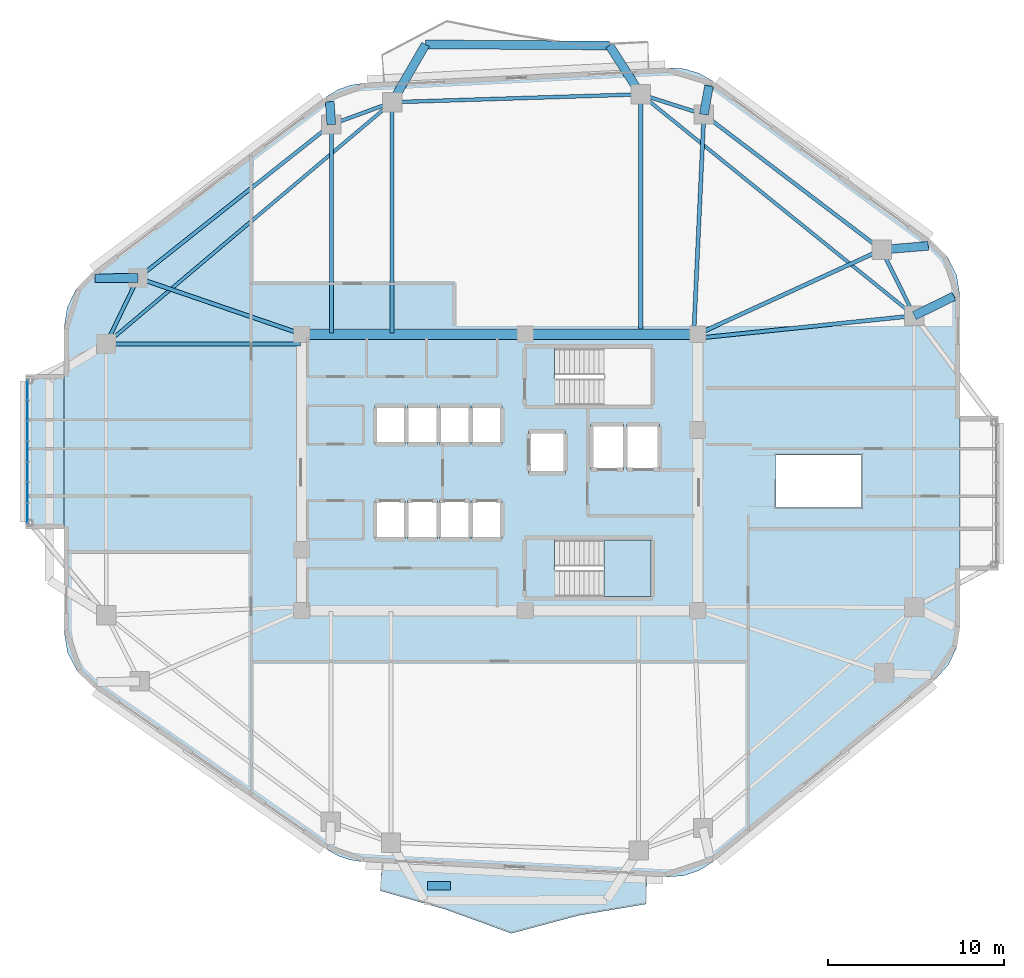
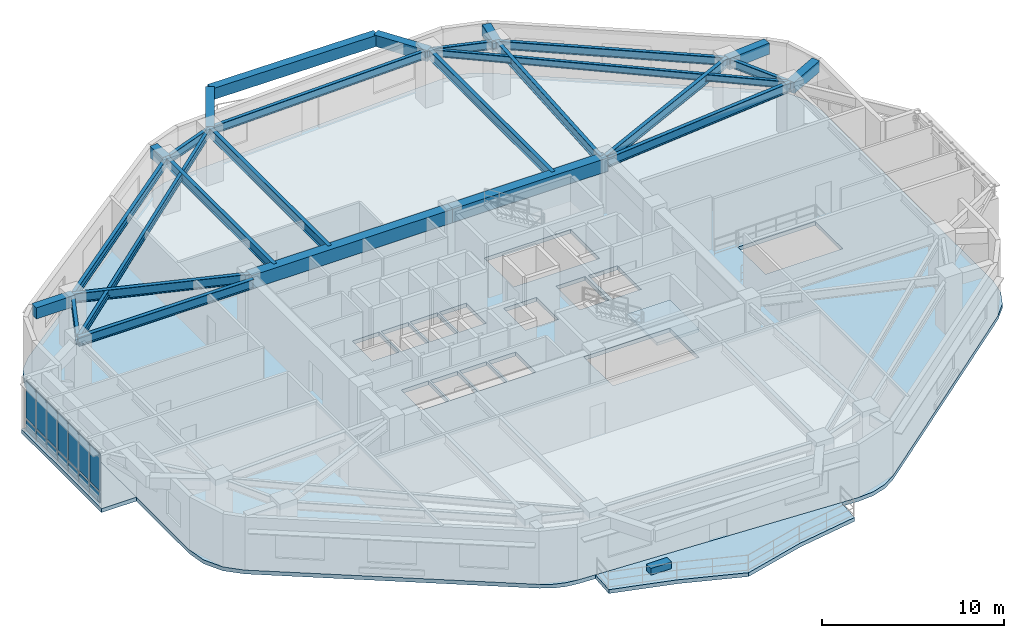
# One storey, part 6 of 14: 27 beams, 15 plates, 4 slabs, 2 elements without a shape of their own.
"""IFC4 building model written with IfcOpenShell, lengths in metres."""

from ifc_helpers import new_model, si_unit, direction, frame, origin, origin_2d, place, context, subcontext, project, spatial, polyline, rectangle, i_section, outline, extrude, material, layer, layer_set, material_profile, profile_set, type_object, element, aggregate, save


model = new_model("IFC4")

# Units and contexts
model_context = context("Model", 3, precision=1e-05, world=origin(), true_north=direction((0.0, 1.0)))
body_context = subcontext(model_context, "Body", "Model", "MODEL_VIEW")
ifc_project = project(units=[si_unit("LENGTHUNIT", "METRE"), si_unit("AREAUNIT", "SQUARE_METRE"), si_unit("VOLUMEUNIT", "CUBIC_METRE"), si_unit("PLANEANGLEUNIT", "RADIAN"), si_unit("MASSUNIT", "GRAM", prefix="KILO")], contexts=[model_context])

# Site, building, storey
site_placement = place(None, origin())
site = spatial("IfcSite", under=ifc_project, at=site_placement, CompositionType="ELEMENT")
building_placement = place(site_placement, origin())
building = spatial("IfcBuilding", under=site, at=building_placement, Name="Zulverin Broadcast Headquarters", CompositionType="ELEMENT")
storey_placement = place(building_placement, frame((0.0, 0.0, 128.800048828125)))
storey = spatial("IfcBuildingStorey", under=building, at=storey_placement, Name="L32", CompositionType="ELEMENT", Elevation=128.800048828125)

# Beams
ifc_material_1 = material(Name="Concrete C60/75", Category="concrete")
ifc_material_profile_1 = material_profile(ifc_material_1, rectangle(XDim=0.60009765625, YDim=0.89990234375, at=origin_2d()), Name="Concrete C60/75", Category="concrete")
ifc_profile_set_1 = profile_set([ifc_material_profile_1], Name="Concrete C60/75")
beam_type_1 = type_object("IfcBeamType", Name="BM-CB-600x900", PredefinedType="LINTEL", material=ifc_profile_set_1)
beam_1_placement = place(storey_placement, frame((48.27490234375, 33.074951171875, 3.08984375), z_axis=(-1.0, 0.0, 0.0), x_axis=(0.0, -1.0, 0.0)))
element("IfcBeam", 1, at=beam_1_placement, inside=storey, type_object=beam_type_1, Name="L32 Core Coupling Girder K05-K06", PredefinedType="LINTEL", context=body_context, shape_type="SweptSolid", body=[
    extrude(rectangle(XDim=0.60009765625, YDim=0.89990234375, at=origin_2d()), origin(), (0.0, 0.0, 1.0), 9.824951171875),
])
beam_2_placement = place(storey_placement, frame((38.449951171875, 33.074951171875, 3.08984375), z_axis=(-1.0, 0.0, 0.0), x_axis=(0.0, -1.0, 0.0)))
element("IfcBeam", 2, at=beam_2_placement, inside=storey, type_object=beam_type_1, Name="L32 Core Coupling Girder K06-K07", PredefinedType="LINTEL", context=body_context, shape_type="SweptSolid", body=[
    extrude(rectangle(XDim=0.60009765625, YDim=0.89990234375, at=origin_2d()), origin(), (0.0, 0.0, 1.0), 12.724853515625),
])
ifc_material_2 = material(Name="Concrete C40/50", Category="concrete")
ifc_material_profile_2 = material_profile(ifc_material_2, rectangle(XDim=0.5, YDim=0.75, at=origin_2d()), Name="Concrete C40/50", Category="concrete")
ifc_profile_set_2 = profile_set([ifc_material_profile_2], Name="Concrete C40/50")
beam_type_2 = type_object("IfcBeamType", Name="BM-RC-500x750", PredefinedType="BEAM", material=ifc_profile_set_2)
beam_3_placement = place(storey_placement, frame((60.60009765625, 34.12158203125, 3.1650390625), z_axis=(0.89705908708, 0.441910617984, 0.0), x_axis=(-0.441910617984, 0.89705908708, 0.0)))
element("IfcBeam", 3, at=beam_3_placement, inside=storey, type_object=beam_type_2, Name="L33 Plate Overhang Back-Spanned Beam OVR-06", PredefinedType="BEAM", context=body_context, shape_type="SweptSolid", body=[
    extrude(rectangle(XDim=0.5, YDim=0.75, at=origin_2d()), origin(), (0.0, 0.0, 1.0), 2.50830078125),
])
beam_4_placement = place(storey_placement, frame((58.738037109375, 37.877685546875, 3.1650390625), z_axis=(0.996584209885, 0.082582762173, 0.0), x_axis=(-0.082582762173, 0.996584209885, 0.0)))
element("IfcBeam", 4, at=beam_4_placement, inside=storey, type_object=beam_type_2, Name="L33 Plate Overhang Back-Spanned Beam OVR-07", PredefinedType="BEAM", context=body_context, shape_type="SweptSolid", body=[
    extrude(rectangle(XDim=0.5, YDim=0.75, at=origin_2d()), origin(), (0.0, 0.0, 1.0), 2.66357421875),
])
beam_5_placement = place(storey_placement, frame((48.62158203125, 45.574951171875, 3.1650390625), z_axis=(0.176183868408, 0.984357274831, 0.0), x_axis=(-0.984357274831, 0.176183868408, 0.0)))
element("IfcBeam", 5, at=beam_5_placement, inside=storey, type_object=beam_type_2, Name="L33 Plate Overhang Back-Spanned Beam OVR-08", PredefinedType="BEAM", context=body_context, shape_type="SweptSolid", body=[
    extrude(rectangle(XDim=0.5, YDim=0.75, at=origin_2d()), origin(), (0.0, 0.0, 1.0), 1.654541015625),
])
beam_6_placement = place(storey_placement, frame((27.416259765625, 45.00439453125, 3.1650390625), z_axis=(-0.068312581643, 0.99766396707, 0.0), x_axis=(-0.99766396707, -0.068312581643, 0.0)))
element("IfcBeam", 6, at=beam_6_placement, inside=storey, type_object=beam_type_2, Name="L33 Plate Overhang Back-Spanned Beam OVR-11", PredefinedType="BEAM", context=body_context, shape_type="SweptSolid", body=[
    extrude(rectangle(XDim=0.5, YDim=0.75, at=origin_2d()), origin(), (0.0, 0.0, 1.0), 1.30078125),
])
beam_7_placement = place(storey_placement, frame((16.40869140625, 36.26806640625, 3.1650390625), z_axis=(-0.999988487108, -0.004798505187, 0.0), x_axis=(0.004798505187, -0.999988487108, 0.0)))
element("IfcBeam", 7, at=beam_7_placement, inside=storey, type_object=beam_type_2, Name="L33 Plate Overhang Back-Spanned Beam OVR-12", PredefinedType="BEAM", context=body_context, shape_type="SweptSolid", body=[
    extrude(rectangle(XDim=0.5, YDim=0.75, at=origin_2d()), origin(), (0.0, 0.0, 1.0), 2.442138671875),
])
beam_8_placement = place(storey_placement, frame((45.027587890625, 46.7236328125, 3.1650390625), z_axis=(-0.539744078616, 0.841829157014, 0.0), x_axis=(-0.841829157014, -0.539744078616, 0.0)))
element("IfcBeam", 8, at=beam_8_placement, inside=storey, type_object=beam_type_2, Name="L33 Balcony Column-Framed Cantilever BAL_N-1", PredefinedType="BEAM", context=body_context, shape_type="SweptSolid", body=[
    extrude(rectangle(XDim=0.5, YDim=0.75, at=origin_2d()), origin(), (0.0, 0.0, 1.0), 3.300537109375),
])
beam_9_placement = place(storey_placement, frame((30.882080078125, 46.27490234375, 3.1650390625), z_axis=(0.500167342989, 0.865928766705, 0.0), x_axis=(-0.865928766705, 0.500167342989, 0.0)))
element("IfcBeam", 9, at=beam_9_placement, inside=storey, type_object=beam_type_2, Name="L33 Balcony Column-Framed Cantilever BAL_N-2", PredefinedType="BEAM", context=body_context, shape_type="SweptSolid", body=[
    extrude(rectangle(XDim=0.5, YDim=0.75, at=origin_2d()), origin(), (0.0, 0.0, 1.0), 3.800048828125),
])
beam_10_placement = place(storey_placement, frame((43.24609375, 49.502197265625, 3.1650390625), z_axis=(-0.999981740292, 0.006043102122, 0.0), x_axis=(-0.006043102122, -0.999981740292, 0.0)))
element("IfcBeam", 10, at=beam_10_placement, inside=storey, type_object=beam_type_2, Name="L33 Balcony Outer Edge Trimmer Beam BAL_N", PredefinedType="BEAM", context=body_context, shape_type="SweptSolid", body=[
    extrude(rectangle(XDim=0.5, YDim=0.75, at=origin_2d()), origin(), (0.0, 0.0, 1.0), 10.463623046875),
])
ifc_material_3 = material(Name="Structural steel S355JR", Category="steel")
ifc_material_profile_3 = material_profile(ifc_material_3, i_section(OverallWidth=0.19287109375, OverallDepth=0.46728515625, WebThickness=0.011474609375, FlangeThickness=0.01953125, at=origin_2d()), Name="Structural steel S355JR", Category="steel")
ifc_profile_set_3 = profile_set([ifc_material_profile_3], Name="Structural steel S355JR")
beam_type_3 = type_object("IfcBeamType", Name="BM-UB-457", PredefinedType="JOIST", material=ifc_profile_set_3)
beam_11_placement = place(storey_placement, frame((60.60009765625, 34.12158203125, 3.306396484375), z_axis=(-0.777349017335, 0.629069555175, 0.0), x_axis=(-0.629069555175, -0.777349017335, 0.0)))
element("IfcBeam", 11, at=beam_11_placement, inside=storey, type_object=beam_type_3, Name="L32 Chordal Floor Joist J-02", PredefinedType="JOIST", context=body_context, shape_type="SweptSolid", body=[
    extrude(i_section(OverallWidth=0.19287109375, OverallDepth=0.46728515625, WebThickness=0.011474609375, FlangeThickness=0.01953125, at=origin_2d()), origin(), (0.0, 0.0, 1.0), 20.032958984375),
])
beam_12_placement = place(storey_placement, frame((30.882080078125, 46.27490234375, 3.306396484375), z_axis=(-0.763972566446, -0.645248725468, 0.0), x_axis=(0.645248725468, -0.763972566446, 0.0)))
element("IfcBeam", 12, at=beam_12_placement, inside=storey, type_object=beam_type_3, Name="L32 Chordal Floor Joist J-03", PredefinedType="JOIST", context=body_context, shape_type="SweptSolid", body=[
    extrude(i_section(OverallWidth=0.19287109375, OverallDepth=0.46728515625, WebThickness=0.011474609375, FlangeThickness=0.01953125, at=origin_2d()), origin(), (0.0, 0.0, 1.0), 21.312255859375),
])
ifc_material_profile_4 = material_profile(ifc_material_3, i_section(OverallWidth=0.2119140625, OverallDepth=0.54443359375, WebThickness=0.0126953125, FlangeThickness=0.021240234375, at=origin_2d()), Name="Structural steel S355JR", Category="steel")
ifc_profile_set_4 = profile_set([ifc_material_profile_4], Name="Structural steel S355JR")
beam_type_4 = type_object("IfcBeamType", Name="BM-UB-533", PredefinedType="SPANDREL", material=ifc_profile_set_4)
beam_13_placement = place(storey_placement, frame((60.60009765625, 34.12158203125, 3.267578125), z_axis=(-0.444159471033, 0.895947746407, 0.0), x_axis=(-0.895947746407, -0.444159471033, 0.0)))
element("IfcBeam", 13, at=beam_13_placement, inside=storey, type_object=beam_type_4, Name="L32 Perimeter Spandrel Beam SP-06", PredefinedType="SPANDREL", context=body_context, shape_type="SweptSolid", body=[
    extrude(i_section(OverallWidth=0.2119140625, OverallDepth=0.54443359375, WebThickness=0.0126953125, FlangeThickness=0.021240234375, at=origin_2d()), origin(), (0.0, 0.0, 1.0), 4.1923828125),
])
beam_14_placement = place(storey_placement, frame((58.738037109375, 37.877685546875, 3.267578125), z_axis=(-0.795830102505, 0.60551998146, 0.0), x_axis=(-0.60551998146, -0.795830102505, 0.0)))
element("IfcBeam", 14, at=beam_14_placement, inside=storey, type_object=beam_type_4, Name="L32 Perimeter Spandrel Beam SP-07", PredefinedType="SPANDREL", context=body_context, shape_type="SweptSolid", body=[
    extrude(i_section(OverallWidth=0.2119140625, OverallDepth=0.54443359375, WebThickness=0.0126953125, FlangeThickness=0.021240234375, at=origin_2d()), origin(), (0.0, 0.0, 1.0), 12.7119140625),
])
beam_15_placement = place(storey_placement, frame((48.62158203125, 45.574951171875, 3.267578125), z_axis=(-0.952531523781, 0.304439971428, 0.0), x_axis=(-0.304439971428, -0.952531523781, 0.0)))
element("IfcBeam", 15, at=beam_15_placement, inside=storey, type_object=beam_type_4, Name="L32 Perimeter Spandrel Beam SP-08", PredefinedType="SPANDREL", context=body_context, shape_type="SweptSolid", body=[
    extrude(i_section(OverallWidth=0.2119140625, OverallDepth=0.54443359375, WebThickness=0.0126953125, FlangeThickness=0.021240234375, at=origin_2d()), origin(), (0.0, 0.0, 1.0), 3.773193359375),
])
beam_16_placement = place(storey_placement, frame((45.027587890625, 46.7236328125, 3.267578125), z_axis=(-0.999497221833, -0.031706522156, 0.0), x_axis=(0.031706522156, -0.999497221833, 0.0)))
element("IfcBeam", 16, at=beam_16_placement, inside=storey, type_object=beam_type_4, Name="L32 Perimeter Spandrel Beam SP-09", PredefinedType="SPANDREL", context=body_context, shape_type="SweptSolid", body=[
    extrude(i_section(OverallWidth=0.2119140625, OverallDepth=0.54443359375, WebThickness=0.0126953125, FlangeThickness=0.021240234375, at=origin_2d()), origin(), (0.0, 0.0, 1.0), 14.152587890625),
])
beam_17_placement = place(storey_placement, frame((30.882080078125, 46.27490234375, 3.267578125), z_axis=(-0.938901965426, -0.344184687805, 0.0), x_axis=(0.344184687805, -0.938901965426, 0.0)))
element("IfcBeam", 17, at=beam_17_placement, inside=storey, type_object=beam_type_4, Name="L32 Perimeter Spandrel Beam SP-10", PredefinedType="SPANDREL", context=body_context, shape_type="SweptSolid", body=[
    extrude(i_section(OverallWidth=0.2119140625, OverallDepth=0.54443359375, WebThickness=0.0126953125, FlangeThickness=0.021240234375, at=origin_2d()), origin(), (0.0, 0.0, 1.0), 3.69140625),
])
beam_18_placement = place(storey_placement, frame((27.416259765625, 45.00439453125, 3.267578125), z_axis=(-0.783283263401, -0.621664965457, 0.0), x_axis=(0.621664965457, -0.783283263401, 0.0)))
element("IfcBeam", 18, at=beam_18_placement, inside=storey, type_object=beam_type_4, Name="L32 Perimeter Spandrel Beam SP-11", PredefinedType="SPANDREL", context=body_context, shape_type="SweptSolid", body=[
    extrude(i_section(OverallWidth=0.2119140625, OverallDepth=0.54443359375, WebThickness=0.0126953125, FlangeThickness=0.021240234375, at=origin_2d()), origin(), (0.0, 0.0, 1.0), 14.05322265625),
])
beam_19_placement = place(storey_placement, frame((16.40869140625, 36.26806640625, 3.267578125), z_axis=(-0.434890248034, -0.900483465792, 0.0), x_axis=(0.900483465792, -0.434890248034, 0.0)))
element("IfcBeam", 19, at=beam_19_placement, inside=storey, type_object=beam_type_4, Name="L32 Perimeter Spandrel Beam SP-12", PredefinedType="SPANDREL", context=body_context, shape_type="SweptSolid", body=[
    extrude(i_section(OverallWidth=0.2119140625, OverallDepth=0.54443359375, WebThickness=0.0126953125, FlangeThickness=0.021240234375, at=origin_2d()), origin(), (0.0, 0.0, 1.0), 4.15869140625),
])
ifc_material_profile_5 = material_profile(ifc_material_3, i_section(OverallWidth=0.230224609375, OverallDepth=0.6171875, WebThickness=0.01318359375, FlangeThickness=0.022216796875, at=origin_2d()), Name="Structural steel S355JR", Category="steel")
ifc_profile_set_5 = profile_set([ifc_material_profile_5], Name="Structural steel S355JR")
beam_type_5 = type_object("IfcBeamType", Name="BM-UB-610", PredefinedType="BEAM", material=ifc_profile_set_5)
beam_20_placement = place(storey_placement, frame((48.324951171875, 32.85009765625, 3.2314453125), z_axis=(0.994678169641, 0.103030766473, 0.0), x_axis=(-0.103030766473, 0.994678169641, 0.0)))
element("IfcBeam", 20, at=beam_20_placement, inside=storey, type_object=beam_type_5, Name="L32 Radial Primary Floor Beam RB-06", PredefinedType="BEAM", context=body_context, shape_type="SweptSolid", body=[
    extrude(i_section(OverallWidth=0.230224609375, OverallDepth=0.6171875, WebThickness=0.01318359375, FlangeThickness=0.022216796875, at=origin_2d()), origin(), (0.0, 0.0, 1.0), 12.3408203125),
])
beam_21_placement = place(storey_placement, frame((48.27490234375, 33.074951171875, 3.2314453125), z_axis=(0.90883007293, 0.417166511764, 0.0), x_axis=(-0.417166511764, 0.90883007293, 0.0)))
element("IfcBeam", 21, at=beam_21_placement, inside=storey, type_object=beam_type_5, Name="L32 Radial Primary Floor Beam RB-07", PredefinedType="BEAM", context=body_context, shape_type="SweptSolid", body=[
    extrude(i_section(OverallWidth=0.230224609375, OverallDepth=0.6171875, WebThickness=0.01318359375, FlangeThickness=0.022216796875, at=origin_2d()), origin(), (0.0, 0.0, 1.0), 11.5126953125),
])
beam_22_placement = place(storey_placement, frame((48.050048828125, 33.125, 3.2314453125), z_axis=(0.045858166026, 0.998947960911, 0.0), x_axis=(-0.998947960911, 0.045858166026, 0.0)))
element("IfcBeam", 22, at=beam_22_placement, inside=storey, type_object=beam_type_5, Name="L32 Radial Primary Floor Beam RB-08", PredefinedType="BEAM", context=body_context, shape_type="SweptSolid", body=[
    extrude(i_section(OverallWidth=0.230224609375, OverallDepth=0.6171875, WebThickness=0.01318359375, FlangeThickness=0.022216796875, at=origin_2d()), origin(), (0.0, 0.0, 1.0), 12.463134765625),
])
beam_23_placement = place(storey_placement, frame((45.027587890625, 33.125, 3.2314453125), z_axis=(0.0, 1.0, 0.0), x_axis=(-1.0, 0.0, 0.0)))
element("IfcBeam", 23, at=beam_23_placement, inside=storey, type_object=beam_type_5, Name="L32 Radial Primary Floor Beam RB-09", PredefinedType="BEAM", context=body_context, shape_type="SweptSolid", body=[
    extrude(i_section(OverallWidth=0.230224609375, OverallDepth=0.6171875, WebThickness=0.01318359375, FlangeThickness=0.022216796875, at=origin_2d()), origin(), (0.0, 0.0, 1.0), 13.5986328125),
])
beam_24_placement = place(storey_placement, frame((30.882080078125, 33.125, 3.2314453125), z_axis=(0.0, 1.0, 0.0), x_axis=(-1.0, 0.0, 0.0)))
element("IfcBeam", 24, at=beam_24_placement, inside=storey, type_object=beam_type_5, Name="L32 Radial Primary Floor Beam RB-10", PredefinedType="BEAM", context=body_context, shape_type="SweptSolid", body=[
    extrude(i_section(OverallWidth=0.230224609375, OverallDepth=0.6171875, WebThickness=0.01318359375, FlangeThickness=0.022216796875, at=origin_2d()), origin(), (0.0, 0.0, 1.0), 13.14990234375),
])
beam_25_placement = place(storey_placement, frame((27.416259765625, 33.125, 3.2314453125), z_axis=(0.0, 1.0, 0.0), x_axis=(-1.0, 0.0, 0.0)))
element("IfcBeam", 25, at=beam_25_placement, inside=storey, type_object=beam_type_5, Name="L32 Radial Primary Floor Beam RB-11", PredefinedType="BEAM", context=body_context, shape_type="SweptSolid", body=[
    extrude(i_section(OverallWidth=0.230224609375, OverallDepth=0.6171875, WebThickness=0.01318359375, FlangeThickness=0.022216796875, at=origin_2d()), origin(), (0.0, 0.0, 1.0), 11.87939453125),
])
beam_26_placement = place(storey_placement, frame((25.72509765625, 33.074951171875, 3.2314453125), z_axis=(-0.945979621685, 0.324226086793, 0.0), x_axis=(-0.324226086793, -0.945979621685, 0.0)))
element("IfcBeam", 26, at=beam_26_placement, inside=storey, type_object=beam_type_5, Name="L32 Radial Primary Floor Beam RB-12", PredefinedType="BEAM", context=body_context, shape_type="SweptSolid", body=[
    extrude(i_section(OverallWidth=0.230224609375, OverallDepth=0.6171875, WebThickness=0.01318359375, FlangeThickness=0.022216796875, at=origin_2d()), origin(), (0.0, 0.0, 1.0), 9.848388671875),
])
beam_27_placement = place(storey_placement, frame((25.675048828125, 32.523193359375, 3.2314453125), z_axis=(-1.0, 0.0, 0.0), x_axis=(0.0, -1.0, 0.0)))
element("IfcBeam", 27, at=beam_27_placement, inside=storey, type_object=beam_type_5, Name="L32 Radial Primary Floor Beam RB-13", PredefinedType="BEAM", context=body_context, shape_type="SweptSolid", body=[
    extrude(i_section(OverallWidth=0.230224609375, OverallDepth=0.6171875, WebThickness=0.01318359375, FlangeThickness=0.022216796875, at=origin_2d()), origin(), (0.0, 0.0, 1.0), 11.074951171875),
])

# Curtain wall, plates
ifc_material_4 = material(Name="Acoustic triple-glazed studio box curtain wall", Category="aluminium")
curtain_wall_type = type_object("IfcCurtainWallType", Name="CW-SBOX", PredefinedType="USERDEFINED", material=ifc_material_4)
curtain_wall_placement = place(storey_placement, origin())
curtain_wall = element("IfcCurtainWall", 28, at=curtain_wall_placement, inside=storey, type_object=curtain_wall_type, Name="L32 Unitised Curtain Wall CW-L32-SBOX_SKY1_W-F", ObjectType="UNITISED CURTAIN WALL", PredefinedType="USERDEFINED")
ifc_material_5 = material(Name="Low-E double-glazed pale-silver vision glass", Category="glass")
ifc_layer_1 = layer(ifc_material_5, 0.035888671875, Name="Low-E double-glazed pale-silver vision glass", Category="glass")
ifc_layer_set_1 = layer_set([ifc_layer_1], Name="Low-E double-glazed pale-silver vision glass")
plate_type_1 = type_object("IfcPlateType", Name="CW-PNL-GLZ", PredefinedType="CURTAIN_PANEL", material=ifc_layer_set_1)
plate_1_placement = place(storey_placement, frame((10.1201171875, 29.88720703125, 0.91455078125), z_axis=(0.0, 0.0, 1.0), x_axis=(0.0, -1.0, 0.0)))
plate_1 = element("IfcPlate", 29, at=plate_1_placement, type_object=plate_type_1, Name="CW-L32-SBOX_SKY1_W-F Vision Panel 00", PredefinedType="CURTAIN_PANEL", context=body_context, shape_type="SweptSolid", body=[
    extrude(rectangle(XDim=1.125732421875, YDim=0.035888671875, at=origin_2d()), origin(), (0.0, 0.0, 1.0), 2.4853515625),
])
plate_2_placement = place(storey_placement, frame((10.1201171875, 28.721435546875, 0.91455078125), z_axis=(0.0, 0.0, 1.0), x_axis=(0.0, -1.0, 0.0)))
plate_2 = element("IfcPlate", 30, at=plate_2_placement, type_object=plate_type_1, Name="CW-L32-SBOX_SKY1_W-F Vision Panel 01", PredefinedType="CURTAIN_PANEL", context=body_context, shape_type="SweptSolid", body=[
    extrude(rectangle(XDim=1.125732421875, YDim=0.035888671875, at=origin_2d()), origin(), (0.0, 0.0, 1.0), 2.4853515625),
])
plate_3_placement = place(storey_placement, frame((10.1201171875, 27.5556640625, 0.91455078125), z_axis=(0.0, 0.0, 1.0), x_axis=(0.0, -1.0, 0.0)))
plate_3 = element("IfcPlate", 31, at=plate_3_placement, type_object=plate_type_1, Name="CW-L32-SBOX_SKY1_W-F Vision Panel 02", PredefinedType="CURTAIN_PANEL", context=body_context, shape_type="SweptSolid", body=[
    extrude(rectangle(XDim=1.125732421875, YDim=0.035888671875, at=origin_2d()), origin(), (0.0, 0.0, 1.0), 2.4853515625),
])
plate_4_placement = place(storey_placement, frame((10.1201171875, 26.389892578125, 0.91455078125), z_axis=(0.0, 0.0, 1.0), x_axis=(0.0, -1.0, 0.0)))
plate_4 = element("IfcPlate", 32, at=plate_4_placement, type_object=plate_type_1, Name="CW-L32-SBOX_SKY1_W-F Vision Panel 03", PredefinedType="CURTAIN_PANEL", context=body_context, shape_type="SweptSolid", body=[
    extrude(rectangle(XDim=1.125732421875, YDim=0.035888671875, at=origin_2d()), origin(), (0.0, 0.0, 1.0), 2.4853515625),
])
plate_5_placement = place(storey_placement, frame((10.1201171875, 25.224365234375, 0.91455078125), z_axis=(0.0, 0.0, 1.0), x_axis=(0.0, -1.0, 0.0)))
plate_5 = element("IfcPlate", 33, at=plate_5_placement, type_object=plate_type_1, Name="CW-L32-SBOX_SKY1_W-F Vision Panel 04", PredefinedType="CURTAIN_PANEL", context=body_context, shape_type="SweptSolid", body=[
    extrude(rectangle(XDim=1.125732421875, YDim=0.035888671875, at=origin_2d()), origin(), (0.0, 0.0, 1.0), 2.4853515625),
])
plate_6_placement = place(storey_placement, frame((10.1201171875, 24.05859375, 0.91455078125), z_axis=(0.0, 0.0, 1.0), x_axis=(0.0, -1.0, 0.0)))
plate_6 = element("IfcPlate", 34, at=plate_6_placement, type_object=plate_type_1, Name="CW-L32-SBOX_SKY1_W-F Vision Panel 05", PredefinedType="CURTAIN_PANEL", context=body_context, shape_type="SweptSolid", body=[
    extrude(rectangle(XDim=1.125732421875, YDim=0.035888671875, at=origin_2d()), origin(), (0.0, 0.0, 1.0), 2.4853515625),
])
plate_7_placement = place(storey_placement, frame((10.1201171875, 22.892822265625, 0.91455078125), z_axis=(0.0, 0.0, 1.0), x_axis=(0.0, -1.0, 0.0)))
plate_7 = element("IfcPlate", 35, at=plate_7_placement, type_object=plate_type_1, Name="CW-L32-SBOX_SKY1_W-F Vision Panel 06", PredefinedType="CURTAIN_PANEL", context=body_context, shape_type="SweptSolid", body=[
    extrude(rectangle(XDim=1.125732421875, YDim=0.035888671875, at=origin_2d()), origin(), (0.0, 0.0, 1.0), 2.4853515625),
])
ifc_material_6 = material(Name="Insulated brushed pale-aluminium spandrel cassette", Category="aluminium")
ifc_layer_2 = layer(ifc_material_6, 0.050048828125, Name="Insulated brushed pale-aluminium spandrel cassette", Category="aluminium")
ifc_layer_set_2 = layer_set([ifc_layer_2], Name="Insulated brushed pale-aluminium spandrel cassette")
plate_type_2 = type_object("IfcPlateType", Name="CW-PNL-SPN", PredefinedType="CURTAIN_PANEL", material=ifc_layer_set_2)
plate_8_placement = place(storey_placement, frame((10.1201171875, 29.88720703125, 0.139892578125), z_axis=(0.0, 0.0, 1.0), x_axis=(0.0, -1.0, 0.0)))
plate_8 = element("IfcPlate", 36, at=plate_8_placement, type_object=plate_type_2, Name="CW-L32-SBOX_SKY1_W-F Spandrel Cassette 00", PredefinedType="CURTAIN_PANEL", context=body_context, shape_type="SweptSolid", body=[
    extrude(rectangle(XDim=1.125732421875, YDim=0.050048828125, at=origin_2d()), origin(), (0.0, 0.0, 1.0), 0.64453125),
])
plate_9_placement = place(storey_placement, frame((10.1201171875, 28.721435546875, 0.139892578125), z_axis=(0.0, 0.0, 1.0), x_axis=(0.0, -1.0, 0.0)))
plate_9 = element("IfcPlate", 37, at=plate_9_placement, type_object=plate_type_2, Name="CW-L32-SBOX_SKY1_W-F Spandrel Cassette 01", PredefinedType="CURTAIN_PANEL", context=body_context, shape_type="SweptSolid", body=[
    extrude(rectangle(XDim=1.125732421875, YDim=0.050048828125, at=origin_2d()), origin(), (0.0, 0.0, 1.0), 0.64453125),
])
plate_10_placement = place(storey_placement, frame((10.1201171875, 27.5556640625, 0.139892578125), z_axis=(0.0, 0.0, 1.0), x_axis=(0.0, -1.0, 0.0)))
plate_10 = element("IfcPlate", 38, at=plate_10_placement, type_object=plate_type_2, Name="CW-L32-SBOX_SKY1_W-F Spandrel Cassette 02", PredefinedType="CURTAIN_PANEL", context=body_context, shape_type="SweptSolid", body=[
    extrude(rectangle(XDim=1.125732421875, YDim=0.050048828125, at=origin_2d()), origin(), (0.0, 0.0, 1.0), 0.64453125),
])
plate_11_placement = place(storey_placement, frame((10.1201171875, 26.389892578125, 0.139892578125), z_axis=(0.0, 0.0, 1.0), x_axis=(0.0, -1.0, 0.0)))
plate_11 = element("IfcPlate", 39, at=plate_11_placement, type_object=plate_type_2, Name="CW-L32-SBOX_SKY1_W-F Spandrel Cassette 03", PredefinedType="CURTAIN_PANEL", context=body_context, shape_type="SweptSolid", body=[
    extrude(rectangle(XDim=1.125732421875, YDim=0.050048828125, at=origin_2d()), origin(), (0.0, 0.0, 1.0), 0.64453125),
])
plate_12_placement = place(storey_placement, frame((10.1201171875, 25.224365234375, 0.139892578125), z_axis=(0.0, 0.0, 1.0), x_axis=(0.0, -1.0, 0.0)))
plate_12 = element("IfcPlate", 40, at=plate_12_placement, type_object=plate_type_2, Name="CW-L32-SBOX_SKY1_W-F Spandrel Cassette 04", PredefinedType="CURTAIN_PANEL", context=body_context, shape_type="SweptSolid", body=[
    extrude(rectangle(XDim=1.125732421875, YDim=0.050048828125, at=origin_2d()), origin(), (0.0, 0.0, 1.0), 0.64453125),
])
plate_13_placement = place(storey_placement, frame((10.1201171875, 24.05859375, 0.139892578125), z_axis=(0.0, 0.0, 1.0), x_axis=(0.0, -1.0, 0.0)))
plate_13 = element("IfcPlate", 41, at=plate_13_placement, type_object=plate_type_2, Name="CW-L32-SBOX_SKY1_W-F Spandrel Cassette 05", PredefinedType="CURTAIN_PANEL", context=body_context, shape_type="SweptSolid", body=[
    extrude(rectangle(XDim=1.125732421875, YDim=0.050048828125, at=origin_2d()), origin(), (0.0, 0.0, 1.0), 0.64453125),
])
plate_14_placement = place(storey_placement, frame((10.1201171875, 22.892822265625, 0.139892578125), z_axis=(0.0, 0.0, 1.0), x_axis=(0.0, -1.0, 0.0)))
plate_14 = element("IfcPlate", 42, at=plate_14_placement, type_object=plate_type_2, Name="CW-L32-SBOX_SKY1_W-F Spandrel Cassette 06", PredefinedType="CURTAIN_PANEL", context=body_context, shape_type="SweptSolid", body=[
    extrude(rectangle(XDim=1.125732421875, YDim=0.050048828125, at=origin_2d()), origin(), (0.0, 0.0, 1.0), 0.64453125),
])
aggregate(curtain_wall, [plate_8, plate_1, plate_9, plate_2, plate_10, plate_3, plate_11, plate_4, plate_12, plate_5, plate_13, plate_6, plate_14, plate_7])

# Plate
ifc_material_7 = material(Name="Precast concrete C45/55", Category="concrete")
ifc_layer_3 = layer(ifc_material_7, 0.449951171875, Name="Precast concrete C45/55", Category="concrete")
ifc_layer_set_3 = layer_set([ifc_layer_3], Name="Precast concrete C45/55")
plate_type_3 = type_object("IfcPlateType", Name="PT-01_PRECAST_GFRC_TREE_PLANTER", PredefinedType="USERDEFINED", material=ifc_layer_set_3)
plate_15_placement = place(storey_placement, frame((33.553955078125, 1.673583984375, -0.0048828125), z_axis=(0.0, 0.0, 1.0), x_axis=(1.0, 0.0, 0.0)))
element("IfcPlate", 43, at=plate_15_placement, inside=storey, type_object=plate_type_3, Name="L32 Precast GFRC Tree Planter BAL_S", ObjectType="PLANTER", PredefinedType="USERDEFINED", context=body_context, shape_type="SweptSolid", body=[
    extrude(rectangle(XDim=1.300048828125, YDim=0.5, at=origin_2d()), origin(), (0.0, 0.0, 1.0), 0.449951171875),
])

# Slab
ifc_layer_4 = layer(ifc_material_2, 0.260009765625, Name="Concrete C40/50", Category="concrete")
ifc_layer_set_4 = layer_set([ifc_layer_4], Name="Concrete C40/50")
slab_type_1 = type_object("IfcSlabType", Name="SLB-BAL-260", PredefinedType="FLOOR", material=ifc_layer_set_4)
slab_1_placement = place(storey_placement, frame((0.0, 0.0, -0.260009765625)))
element("IfcSlab", 44, at=slab_1_placement, inside=storey, type_object=slab_type_1, Name="L32 Cantilevered Planted Balcony Slab BAL_S", PredefinedType="FLOOR", context=body_context, shape_type="SweptSolid", body=[
    extrude(outline(polyline([(45.400390625, 2.230712890625), (30.28662109375, 2.989013671875), (30.206298828125, 1.390869140625), (33.940673828125, 0.321044921875), (37.660400390625, -1.03564453125), (41.5, -0.010009765625), (45.320068359375, 0.632568359375), (45.400390625, 2.230712890625)])), origin(), (0.0, 0.0, 1.0), 0.260009765625),
])

# Stair, slab
stair_type = type_object("IfcStairType", Name="ST-CORE-1500", PredefinedType="HALF_TURN_STAIR", material=ifc_material_2)
stair_placement = place(storey_placement, origin())
stair = element("IfcStair", 45, at=stair_placement, inside=storey, type_object=stair_type, Name="L32 Core Exit Stair ST-2", PredefinedType="HALF_TURN_STAIR")
ifc_layer_5 = layer(ifc_material_2, 0.199951171875, Name="Concrete C40/50", Category="concrete")
ifc_layer_set_5 = layer_set([ifc_layer_5], Name="Concrete C40/50")
slab_type_2 = type_object("IfcSlabType", Name="SLB-ST-LND200", PredefinedType="LANDING", material=ifc_layer_set_5)
slab_2_placement = place(storey_placement, frame((0.0, 0.0, 1.699951171875)))
slab_2 = element("IfcSlab", 46, at=slab_2_placement, type_object=slab_type_2, Name="ST-2 landing 1", PredefinedType="LANDING", context=body_context, shape_type="SweptSolid", body=[
    extrude(outline(polyline([(42.929931640625, 18.14990234375), (45.60009765625, 18.14990234375), (45.60009765625, 21.35009765625), (42.929931640625, 21.35009765625), (42.929931640625, 18.14990234375)])), origin(), (0.0, 0.0, 1.0), 0.199951171875),
])
aggregate(stair, [slab_2])

# Slabs
ifc_layer_6 = layer(ifc_material_2, 0.260009765625, Name="Concrete C40/50", Category="concrete")
ifc_layer_set_6 = layer_set([ifc_layer_6], Name="Concrete C40/50")
slab_type_3 = type_object("IfcSlabType", Name="SLB-TWR-260", PredefinedType="FLOOR", material=ifc_layer_set_6)
slab_3_placement = place(storey_placement, frame((0.0, 0.0, -0.260009765625)))
element("IfcSlab", 47, at=slab_3_placement, inside=storey, type_object=slab_type_3, Name="L32 Main Structural Floor Slab", PredefinedType="FLOOR", context=body_context, shape_type="SweptSolid", body=[
    extrude(outline(polyline([(27.155029296875, 3.73828125), (27.785400390625, 3.381591796875), (28.470947265625, 3.147216796875), (29.18798828125, 3.0439453125), (46.498779296875, 2.175537109375), (47.45263671875, 2.2451171875), (48.36083984375, 2.544677734375), (49.168701171875, 3.05615234375), (61.7744140625, 13.40380859375), (62.54296875, 14.251708984375), (63.031982421875, 15.286376953125), (63.199951171875, 16.418212890625), (63.199951171875, 35.22998046875), (63.010009765625, 36.4326171875), (62.458251953125, 37.517822265625), (61.598876953125, 38.38037109375), (49.119384765625, 47.486083984375), (48.351806640625, 47.922607421875), (47.506103515625, 48.175048828125), (46.625, 48.230712890625), (29.265380859375, 47.35986328125), (28.502197265625, 47.2451171875), (27.776611328125, 46.982421875), (27.116943359375, 46.581787109375), (13.756103515625, 36.5361328125), (12.919921875, 35.6767578125), (12.384521484375, 34.603759765625), (12.199951171875, 33.4189453125), (12.199951171875, 16.18701171875), (12.399169921875, 14.956787109375), (12.975830078125, 13.852294921875), (13.87158203125, 12.986083984375), (27.155029296875, 3.73828125)]), holes=[polyline([(40.155029296875, 30.75), (40.130126953125, 30.75), (40.130126953125, 32.25), (45.60009765625, 32.25), (45.60009765625, 29.050048828125), (40.155029296875, 29.050048828125), (40.155029296875, 30.75)]), polyline([(40.155029296875, 19.85009765625), (40.130126953125, 19.85009765625), (40.130126953125, 21.35009765625), (45.60009765625, 21.35009765625), (45.60009765625, 18.14990234375), (40.155029296875, 18.14990234375), (40.155029296875, 19.85009765625)]), polyline([(52.72509765625, 24.800048828125), (52.7001953125, 24.800048828125), (52.7001953125, 26.199951171875), (57.60009765625, 26.199951171875), (57.60009765625, 23.199951171875), (52.72509765625, 23.199951171875), (52.72509765625, 24.800048828125)]), polyline([(29.89990234375, 21.39990234375), (31.6201171875, 21.39990234375), (31.6201171875, 23.60009765625), (29.89990234375, 23.60009765625), (29.89990234375, 21.39990234375)]), polyline([(31.739990234375, 21.39990234375), (33.4599609375, 21.39990234375), (33.4599609375, 23.60009765625), (31.739990234375, 23.60009765625), (31.739990234375, 21.39990234375)]), polyline([(33.580078125, 21.39990234375), (35.300048828125, 21.39990234375), (35.300048828125, 23.60009765625), (33.580078125, 23.60009765625), (33.580078125, 21.39990234375)]), polyline([(35.419921875, 21.39990234375), (37.139892578125, 21.39990234375), (37.139892578125, 23.60009765625), (35.419921875, 23.60009765625), (35.419921875, 21.39990234375)]), polyline([(29.89990234375, 26.800048828125), (31.6201171875, 26.800048828125), (31.6201171875, 29.0), (29.89990234375, 29.0), (29.89990234375, 26.800048828125)]), polyline([(31.739990234375, 26.800048828125), (33.4599609375, 26.800048828125), (33.4599609375, 29.0), (31.739990234375, 29.0), (31.739990234375, 26.800048828125)]), polyline([(33.580078125, 26.800048828125), (35.300048828125, 26.800048828125), (35.300048828125, 29.0), (33.580078125, 29.0), (33.580078125, 26.800048828125)]), polyline([(35.419921875, 26.800048828125), (37.139892578125, 26.800048828125), (37.139892578125, 29.0), (35.419921875, 29.0), (35.419921875, 26.800048828125)]), polyline([(42.199951171875, 25.35009765625), (44.050048828125, 25.35009765625), (44.050048828125, 27.949951171875), (42.199951171875, 27.949951171875), (42.199951171875, 25.35009765625)]), polyline([(44.25, 25.35009765625), (46.10009765625, 25.35009765625), (46.10009765625, 27.949951171875), (44.25, 27.949951171875), (44.25, 25.35009765625)]), polyline([(38.64990234375, 25.14990234375), (40.75, 25.14990234375), (40.75, 27.550048828125), (38.64990234375, 27.550048828125), (38.64990234375, 25.14990234375)])]), origin(), (0.0, 0.0, 1.0), 0.260009765625),
])
slab_4_placement = place(storey_placement, frame((0.0, 0.0, -0.260009765625)))
element("IfcSlab", 48, at=slab_4_placement, inside=storey, type_object=slab_type_3, Name="L32 Shifted Broadcast Studio Box Floor Slab SBOX_SKY1_W", PredefinedType="FLOOR", context=body_context, shape_type="SweptSolid", body=[
    extrude(outline(polyline([(10.0, 21.989990234375), (12.199951171875, 21.989990234375), (12.199951171875, 30.7900390625), (10.0, 30.7900390625), (10.0, 21.989990234375)])), origin(), (0.0, 0.0, 1.0), 0.260009765625),
])

save(model, "model.ifc")
